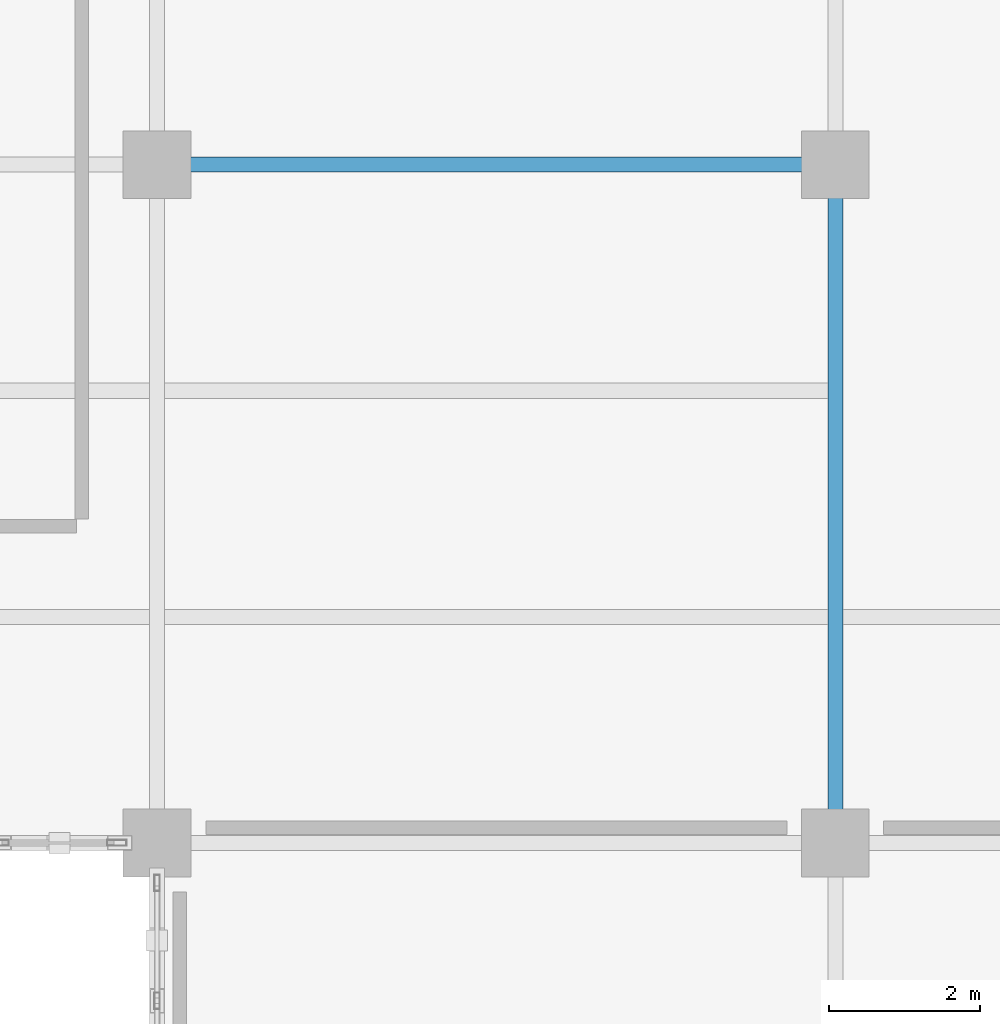
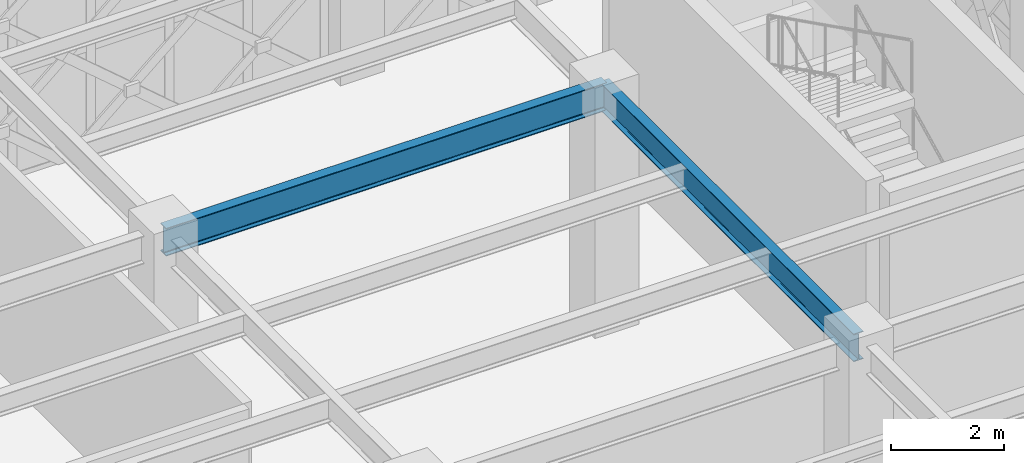
# One storey, part 26 of 155: 2 beams.
"""IFC4 building model written with IfcOpenShell, lengths in metres."""

from ifc_helpers import new_model, si_unit, direction, frame, origin, origin_2d, place, context, subcontext, project, spatial, i_section, extrude, material, material_profile, profile_set, type_object, element, save


model = new_model("IFC4")

# Units and contexts
model_context = context("Model", 3, precision=1e-05, world=origin(), true_north=direction((0.0, 1.0)))
body_context = subcontext(model_context, "Body", "Model", "MODEL_VIEW")
ifc_project = project(units=[si_unit("LENGTHUNIT", "METRE"), si_unit("AREAUNIT", "SQUARE_METRE"), si_unit("VOLUMEUNIT", "CUBIC_METRE"), si_unit("PLANEANGLEUNIT", "RADIAN"), si_unit("MASSUNIT", "GRAM", prefix="KILO")], contexts=[model_context])

# Site, building, storey
site_placement = place(None, origin())
site = spatial("IfcSite", under=ifc_project, at=site_placement, CompositionType="ELEMENT")
building_placement = place(site_placement, origin())
building = spatial("IfcBuilding", under=site, at=building_placement, Name="Haizhuo Lancet Aquarium", CompositionType="ELEMENT")
storey_placement = place(building_placement, frame((0.0, 0.0, 10.800048828125)))
storey = spatial("IfcBuildingStorey", under=building, at=storey_placement, Name="L02", CompositionType="ELEMENT", Elevation=10.800048828125)

# Beams
ifc_material = material(Name="Steel S355", Category="steel")
ifc_material_profile = material_profile(ifc_material, i_section(OverallWidth=0.199951171875, OverallDepth=0.60009765625, WebThickness=0.010986328125, FlangeThickness=0.01708984375, FilletRadius=0.02197265625, at=origin_2d()), Name="HN 600x200x11x17")
ifc_profile_set = profile_set([ifc_material_profile], Name="Steel S355")
beam_type = type_object("IfcBeamType", Name="BM-ST-HN600", PredefinedType="BEAM", material=ifc_profile_set)
for number, where, z_axis, x_axis, name in (
    (1, (-54.0, -18.0, 4.85986328125), (1.0, 0.0, 0.0), (0.0, 1.0, 0.0), "L02 V6 primary girder BM-L02-V6-019"),
    (2, (-45.0, -27.0, 4.85986328125), (0.0, 1.0, 0.0), (-1.0, 0.0, 0.0), "L02 V6 primary girder BM-L02-V6-023"),
):
    element("IfcBeam", number, at=place(storey_placement, frame(where, z_axis=z_axis, x_axis=x_axis)), inside=storey, type_object=beam_type, Name=name, PredefinedType="BEAM", context=body_context, shape_type="SweptSolid", body=[
        extrude(i_section(OverallWidth=0.199951171875, OverallDepth=0.60009765625, WebThickness=0.010986328125, FlangeThickness=0.01708984375, FilletRadius=0.02197265625, at=origin_2d()), origin(), (0.0, 0.0, 1.0), 9.0),
    ])

save(model, "model.ifc")
